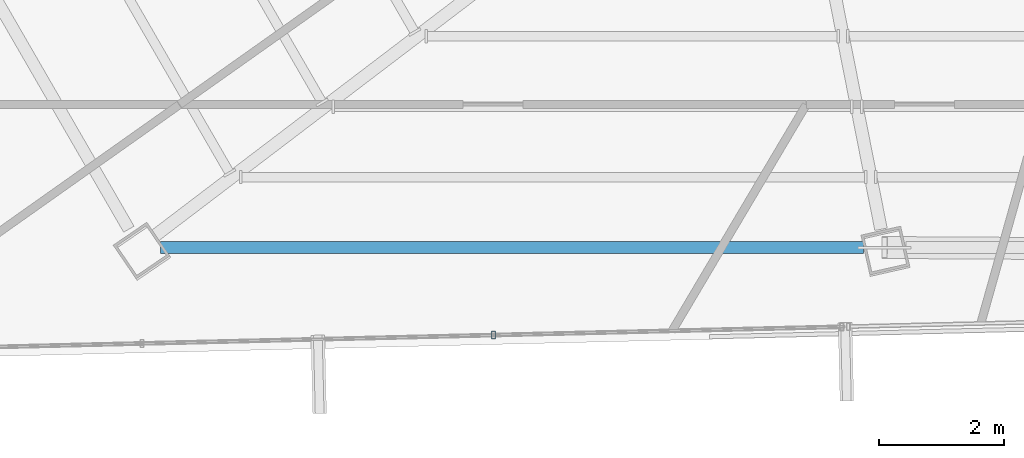
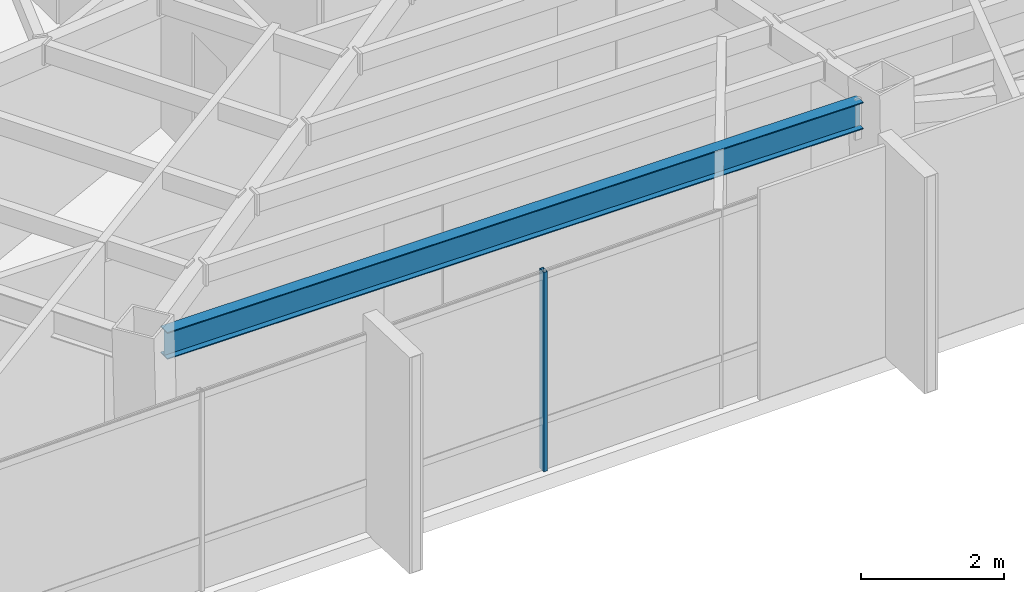
# One storey, part 5 of 45: 1 beam, 1 member, 1 element without a shape of its own.
"""IFC4 building model written with IfcOpenShell, lengths in metres."""

from ifc_helpers import new_model, si_unit, direction, frame, origin, origin_2d, place, context, subcontext, project, spatial, hollow_rectangle, i_section, extrude, source, transform, mapped, material, material_profile, profile_set, type_object, type_shapes, element, aggregate, save


model = new_model("IFC4")

# Units and contexts
model_context = context("Model", 3, precision=1e-05, world=origin(), true_north=direction((0.0, 1.0)))
body_context = subcontext(model_context, "Body", "Model", "MODEL_VIEW")
ifc_project = project(units=[si_unit("LENGTHUNIT", "METRE"), si_unit("AREAUNIT", "SQUARE_METRE"), si_unit("VOLUMEUNIT", "CUBIC_METRE"), si_unit("PLANEANGLEUNIT", "RADIAN"), si_unit("MASSUNIT", "GRAM", prefix="KILO")], contexts=[model_context])

# Site, building, storey
site_placement = place(None, origin())
site = spatial("IfcSite", under=ifc_project, at=site_placement, CompositionType="ELEMENT")
building_placement = place(site_placement, origin())
building = spatial("IfcBuilding", under=site, at=building_placement, Name="Caelisora Broadcast Tower", CompositionType="ELEMENT")
storey_placement = place(building_placement, frame((0.0, 0.0, 262.699951171875)))
storey = spatial("IfcBuildingStorey", under=building, at=storey_placement, Name="L69", CompositionType="ELEMENT", Elevation=262.699951171875)

# Beam
ifc_material_1 = material(Name="Steel Grade 350 (AS/NZS 3679.1)", Category="steel")
ifc_material_profile_1 = material_profile(ifc_material_1, i_section(OverallWidth=0.19091796875, OverallDepth=0.46044921875, WebThickness=0.010009765625, FlangeThickness=0.01611328125, at=origin_2d()), Name="Steel Grade 350 (AS/NZS 3679.1)")
ifc_profile_set_1 = profile_set([ifc_material_profile_1], Name="Steel Grade 350 (AS/NZS 3679.1)")
beam_type = type_object("IfcBeamType", Name="PG06", PredefinedType="BEAM", material=ifc_profile_set_1)
shared_shape_1 = source(origin(), body_context, "Body", "SweptSolid", [
    extrude(i_section(OverallWidth=0.19091796875, OverallDepth=0.46044921875, WebThickness=0.010009765625, FlangeThickness=0.01611328125, at=origin_2d()), origin(), (0.0, 0.0, 1.0), 11.22265625),
])
type_shapes(beam_type, [shared_shape_1])
beam_placement = place(storey_placement, frame((20.489990234375, 9.529052734375, 3.169921875), z_axis=(1.0, 0.0, 0.0), x_axis=(0.0, 1.0, 0.0)))
element("IfcBeam", 1, at=beam_placement, inside=storey, type_object=beam_type, Name="L69 beam PG06", PredefinedType="BEAM", context=body_context, shape_type="MappedRepresentation", body=[
    mapped(shared_shape_1, transform((0.0, 0.0, 0.0), scale=1.0)),
])

# Curtain wall, member
ifc_material_2 = material(Name="Unitised Aluminium and Low-E Glass Curtain Wall", Category="glass")
curtain_wall_type = type_object("IfcCurtainWallType", Name="CW-Z5", PredefinedType="NOTDEFINED", material=ifc_material_2)
curtain_wall_placement = place(storey_placement, origin())
curtain_wall = element("IfcCurtainWall", 2, at=curtain_wall_placement, inside=storey, type_object=curtain_wall_type, Name="L69 curtain wall CW-Z5", PredefinedType="NOTDEFINED")
ifc_material_3 = material(Name="Aluminium 6063-T6 Anodised Terracotta Bronze", Category="aluminium")
ifc_material_profile_2 = material_profile(ifc_material_3, hollow_rectangle(XDim=0.06005859375, YDim=0.1201171875, WallThickness=0.0029296875, at=origin_2d()), Name="Aluminium 6063-T6 Anodised Terracotta Bronze")
ifc_profile_set_2 = profile_set([ifc_material_profile_2], Name="Aluminium 6063-T6 Anodised Terracotta Bronze")
member_type = type_object("IfcMemberType", Name="CWM-04", PredefinedType="MULLION", material=ifc_profile_set_2)
shared_shape_2 = source(origin(), body_context, "Body", "SweptSolid", [
    extrude(hollow_rectangle(XDim=0.06005859375, YDim=0.1201171875, WallThickness=0.0029296875, at=origin_2d()), origin(), (0.0, 0.0, 1.0), 3.400146484375),
])
type_shapes(member_type, [shared_shape_2])
member_placement = place(storey_placement, frame((25.804931640625, 8.131103515625, 0.0), z_axis=(0.0, 0.0, 1.0), x_axis=(1.0, 0.0, 0.0)))
member = element("IfcMember", 3, at=member_placement, type_object=member_type, Name="L69-CW-B07 mullion #1", PredefinedType="MULLION", context=body_context, shape_type="MappedRepresentation", body=[
    mapped(shared_shape_2, transform((0.0, 0.0, 0.0), scale=1.0)),
])
aggregate(curtain_wall, [member])

save(model, "model.ifc")
